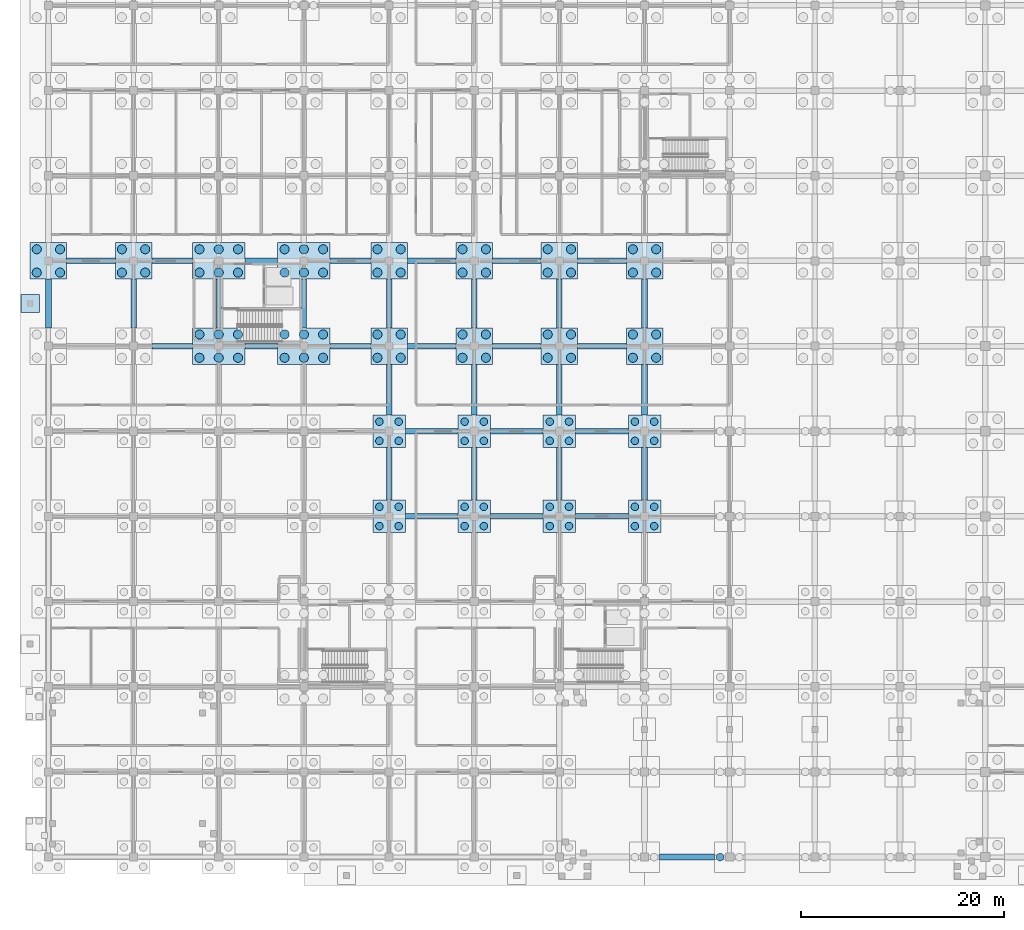
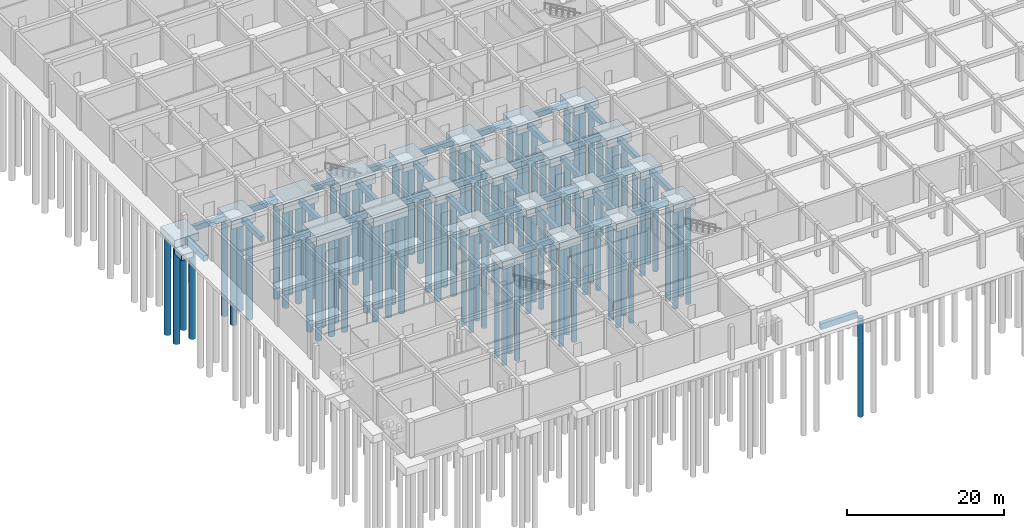
# One storey, part 3 of 65: 97 piles, 59 footings.
"""IFC4 building model written with IfcOpenShell, lengths in metres."""

from ifc_helpers import new_model, si_unit, direction, frame, origin, origin_2d, place, context, subcontext, project, spatial, rectangle, circle, extrude, material, material_profile, profile_set, type_object, element, save


model = new_model("IFC4")

# Units and contexts
model_context = context("Model", 3, precision=1e-05, world=origin(), true_north=direction((0.0, 1.0)))
body_context = subcontext(model_context, "Body", "Model", "MODEL_VIEW")
ifc_project = project(units=[si_unit("LENGTHUNIT", "METRE"), si_unit("AREAUNIT", "SQUARE_METRE"), si_unit("VOLUMEUNIT", "CUBIC_METRE"), si_unit("PLANEANGLEUNIT", "RADIAN"), si_unit("MASSUNIT", "GRAM", prefix="KILO")], contexts=[model_context])

# Site, building, storey
site_placement = place(None, origin())
site = spatial("IfcSite", under=ifc_project, at=site_placement, CompositionType="ELEMENT")
building_placement = place(site_placement, origin())
building = spatial("IfcBuilding", under=site, at=building_placement, Name="Bramfleet General Hospital", CompositionType="ELEMENT")
storey_placement = place(building_placement, frame((0.0, 0.0, -5.39990234375)))
storey = spatial("IfcBuildingStorey", under=building, at=storey_placement, Name="B1", CompositionType="ELEMENT", Elevation=-5.39990234375)

# Footings
ifc_material = material(Name="Concrete C35/45", Category="concrete")
ifc_material_profile_1 = material_profile(ifc_material, rectangle(XDim=0.550048828125, YDim=0.800048828125, at=origin_2d()), Name="RC FB 800x550")
ifc_profile_set_1 = profile_set([ifc_material_profile_1], Name="Concrete C35/45")
footing_type_1 = type_object("IfcFootingType", Name="FTG-FB-01", PredefinedType="FOOTING_BEAM", material=ifc_profile_set_1)
footing_1_placement = place(storey_placement, frame((1.800048828125, 58.800048828125, -0.900146484375), z_axis=(1.0, 0.0, 0.0), x_axis=(0.0, 1.0, 0.0)))
element("IfcFooting", 1, at=footing_1_placement, inside=storey, type_object=footing_type_1, Name="Foundation Tie Beam X 00-07", PredefinedType="FOOTING_BEAM", context=body_context, shape_type="SweptSolid", body=[
    extrude(rectangle(XDim=0.550048828125, YDim=0.800048828125, at=origin_2d()), origin(), (0.0, 0.0, 1.0), 4.800048828125),
])
footing_2_placement = place(storey_placement, frame((10.199951171875, 50.39990234375, -0.900146484375), z_axis=(1.0, 0.0, 0.0), x_axis=(0.0, 1.0, 0.0)))
element("IfcFooting", 2, at=footing_2_placement, inside=storey, type_object=footing_type_1, Name="Foundation Tie Beam X 01-06", PredefinedType="FOOTING_BEAM", context=body_context, shape_type="SweptSolid", body=[
    extrude(rectangle(XDim=0.550048828125, YDim=0.800048828125, at=origin_2d()), origin(), (0.0, 0.0, 1.0), 4.0),
])
footing_3_placement = place(storey_placement, frame((8.39990234375, 52.199951171875, -0.900146484375), z_axis=(0.0, 1.0, 0.0), x_axis=(-1.0, 0.0, 0.0)))
element("IfcFooting", 3, at=footing_3_placement, inside=storey, type_object=footing_type_1, Name="Foundation Tie Beam Y 01-06", PredefinedType="FOOTING_BEAM", context=body_context, shape_type="SweptSolid", body=[
    extrude(rectangle(XDim=0.550048828125, YDim=0.800048828125, at=origin_2d()), origin(), (0.0, 0.0, 1.0), 4.800048828125),
])
footing_4_placement = place(storey_placement, frame((10.199951171875, 58.800048828125, -0.900146484375), z_axis=(1.0, 0.0, 0.0), x_axis=(0.0, 1.0, 0.0)))
element("IfcFooting", 4, at=footing_4_placement, inside=storey, type_object=footing_type_1, Name="Foundation Tie Beam X 01-07", PredefinedType="FOOTING_BEAM", context=body_context, shape_type="SweptSolid", body=[
    extrude(rectangle(XDim=0.550048828125, YDim=0.800048828125, at=origin_2d()), origin(), (0.0, 0.0, 1.0), 4.0),
])
footing_5_placement = place(storey_placement, frame((19.39990234375, 50.39990234375, -0.900146484375), z_axis=(1.0, 0.0, 0.0), x_axis=(0.0, 1.0, 0.0)))
element("IfcFooting", 5, at=footing_5_placement, inside=storey, type_object=footing_type_1, Name="Foundation Tie Beam X 02-06", PredefinedType="FOOTING_BEAM", context=body_context, shape_type="SweptSolid", body=[
    extrude(rectangle(XDim=0.550048828125, YDim=0.800048828125, at=origin_2d()), origin(), (0.0, 0.0, 1.0), 3.2001953125),
])
footing_6_placement = place(storey_placement, frame((16.800048828125, 52.199951171875, -0.900146484375), z_axis=(0.0, 1.0, 0.0), x_axis=(-1.0, 0.0, 0.0)))
element("IfcFooting", 6, at=footing_6_placement, inside=storey, type_object=footing_type_1, Name="Foundation Tie Beam Y 02-06", PredefinedType="FOOTING_BEAM", context=body_context, shape_type="SweptSolid", body=[
    extrude(rectangle(XDim=0.550048828125, YDim=0.800048828125, at=origin_2d()), origin(), (0.0, 0.0, 1.0), 4.800048828125),
])
footing_7_placement = place(storey_placement, frame((19.39990234375, 58.800048828125, -0.900146484375), z_axis=(1.0, 0.0, 0.0), x_axis=(0.0, 1.0, 0.0)))
element("IfcFooting", 7, at=footing_7_placement, inside=storey, type_object=footing_type_1, Name="Foundation Tie Beam X 02-07", PredefinedType="FOOTING_BEAM", context=body_context, shape_type="SweptSolid", body=[
    extrude(rectangle(XDim=0.550048828125, YDim=0.800048828125, at=origin_2d()), origin(), (0.0, 0.0, 1.0), 3.2001953125),
])
footing_8_placement = place(storey_placement, frame((27.800048828125, 50.39990234375, -0.900146484375), z_axis=(1.0, 0.0, 0.0), x_axis=(0.0, 1.0, 0.0)))
element("IfcFooting", 8, at=footing_8_placement, inside=storey, type_object=footing_type_1, Name="Foundation Tie Beam X 03-06", PredefinedType="FOOTING_BEAM", context=body_context, shape_type="SweptSolid", body=[
    extrude(rectangle(XDim=0.550048828125, YDim=0.800048828125, at=origin_2d()), origin(), (0.0, 0.0, 1.0), 4.0),
])
footing_9_placement = place(storey_placement, frame((25.199951171875, 52.199951171875, -0.900146484375), z_axis=(0.0, 1.0, 0.0), x_axis=(-1.0, 0.0, 0.0)))
element("IfcFooting", 9, at=footing_9_placement, inside=storey, type_object=footing_type_1, Name="Foundation Tie Beam Y 03-06", PredefinedType="FOOTING_BEAM", context=body_context, shape_type="SweptSolid", body=[
    extrude(rectangle(XDim=0.550048828125, YDim=0.800048828125, at=origin_2d()), origin(), (0.0, 0.0, 1.0), 4.800048828125),
])
footing_10_placement = place(storey_placement, frame((27.800048828125, 58.800048828125, -0.900146484375), z_axis=(1.0, 0.0, 0.0), x_axis=(0.0, 1.0, 0.0)))
element("IfcFooting", 10, at=footing_10_placement, inside=storey, type_object=footing_type_1, Name="Foundation Tie Beam X 03-07", PredefinedType="FOOTING_BEAM", context=body_context, shape_type="SweptSolid", body=[
    extrude(rectangle(XDim=0.550048828125, YDim=0.800048828125, at=origin_2d()), origin(), (0.0, 0.0, 1.0), 4.0),
])
for number, where, z_axis, x_axis, name in (
    (11, (35.199951171875, 33.60009765625, -0.900146484375), (1.0, 0.0, 0.0), (0.0, 1.0, 0.0), "Foundation Tie Beam X 04-04"),
    (12, (33.60009765625, 35.199951171875, -0.900146484375), (0.0, 1.0, 0.0), (-1.0, 0.0, 0.0), "Foundation Tie Beam Y 04-04"),
    (13, (35.199951171875, 42.0, -0.900146484375), (1.0, 0.0, 0.0), (0.0, 1.0, 0.0), "Foundation Tie Beam X 04-05"),
):
    element("IfcFooting", number, at=place(storey_placement, frame(where, z_axis=z_axis, x_axis=x_axis)), inside=storey, type_object=footing_type_1, Name=name, PredefinedType="FOOTING_BEAM", context=body_context, shape_type="SweptSolid", body=[
        extrude(rectangle(XDim=0.550048828125, YDim=0.800048828125, at=origin_2d()), origin(), (0.0, 0.0, 1.0), 5.199951171875),
    ])
footing_11_placement = place(storey_placement, frame((33.60009765625, 43.60009765625, -0.900146484375), z_axis=(0.0, 1.0, 0.0), x_axis=(-1.0, 0.0, 0.0)))
element("IfcFooting", 14, at=footing_11_placement, inside=storey, type_object=footing_type_1, Name="Foundation Tie Beam Y 04-05", PredefinedType="FOOTING_BEAM", context=body_context, shape_type="SweptSolid", body=[
    extrude(rectangle(XDim=0.550048828125, YDim=0.800048828125, at=origin_2d()), origin(), (0.0, 0.0, 1.0), 5.0),
])
for number, where, z_axis, x_axis, name in (
    (15, (35.39990234375, 50.39990234375, -0.900146484375), (1.0, 0.0, 0.0), (0.0, 1.0, 0.0), "Foundation Tie Beam X 04-06"),
    (16, (33.60009765625, 52.199951171875, -0.900146484375), (0.0, 1.0, 0.0), (-1.0, 0.0, 0.0), "Foundation Tie Beam Y 04-06"),
    (17, (35.39990234375, 58.800048828125, -0.900146484375), (1.0, 0.0, 0.0), (0.0, 1.0, 0.0), "Foundation Tie Beam X 04-07"),
):
    element("IfcFooting", number, at=place(storey_placement, frame(where, z_axis=z_axis, x_axis=x_axis)), inside=storey, type_object=footing_type_1, Name=name, PredefinedType="FOOTING_BEAM", context=body_context, shape_type="SweptSolid", body=[
        extrude(rectangle(XDim=0.550048828125, YDim=0.800048828125, at=origin_2d()), origin(), (0.0, 0.0, 1.0), 4.800048828125),
    ])
for number, where, z_axis, x_axis, name in (
    (18, (43.60009765625, 33.60009765625, -0.900146484375), (1.0, 0.0, 0.0), (0.0, 1.0, 0.0), "Foundation Tie Beam X 05-04"),
    (19, (42.0, 35.199951171875, -0.900146484375), (0.0, 1.0, 0.0), (-1.0, 0.0, 0.0), "Foundation Tie Beam Y 05-04"),
    (20, (43.60009765625, 42.0, -0.900146484375), (1.0, 0.0, 0.0), (0.0, 1.0, 0.0), "Foundation Tie Beam X 05-05"),
):
    element("IfcFooting", number, at=place(storey_placement, frame(where, z_axis=z_axis, x_axis=x_axis)), inside=storey, type_object=footing_type_1, Name=name, PredefinedType="FOOTING_BEAM", context=body_context, shape_type="SweptSolid", body=[
        extrude(rectangle(XDim=0.550048828125, YDim=0.800048828125, at=origin_2d()), origin(), (0.0, 0.0, 1.0), 5.199951171875),
    ])
footing_12_placement = place(storey_placement, frame((42.0, 43.60009765625, -0.900146484375), z_axis=(0.0, 1.0, 0.0), x_axis=(-1.0, 0.0, 0.0)))
element("IfcFooting", 21, at=footing_12_placement, inside=storey, type_object=footing_type_1, Name="Foundation Tie Beam Y 05-05", PredefinedType="FOOTING_BEAM", context=body_context, shape_type="SweptSolid", body=[
    extrude(rectangle(XDim=0.550048828125, YDim=0.800048828125, at=origin_2d()), origin(), (0.0, 0.0, 1.0), 5.0),
])
for number, where, z_axis, x_axis, name in (
    (22, (43.800048828125, 50.39990234375, -0.900146484375), (1.0, 0.0, 0.0), (0.0, 1.0, 0.0), "Foundation Tie Beam X 05-06"),
    (23, (42.0, 52.199951171875, -0.900146484375), (0.0, 1.0, 0.0), (-1.0, 0.0, 0.0), "Foundation Tie Beam Y 05-06"),
    (24, (43.800048828125, 58.800048828125, -0.900146484375), (1.0, 0.0, 0.0), (0.0, 1.0, 0.0), "Foundation Tie Beam X 05-07"),
):
    element("IfcFooting", number, at=place(storey_placement, frame(where, z_axis=z_axis, x_axis=x_axis)), inside=storey, type_object=footing_type_1, Name=name, PredefinedType="FOOTING_BEAM", context=body_context, shape_type="SweptSolid", body=[
        extrude(rectangle(XDim=0.550048828125, YDim=0.800048828125, at=origin_2d()), origin(), (0.0, 0.0, 1.0), 4.800048828125),
    ])
for number, where, z_axis, x_axis, name in (
    (25, (52.0, 33.60009765625, -0.900146484375), (1.0, 0.0, 0.0), (0.0, 1.0, 0.0), "Foundation Tie Beam X 06-04"),
    (26, (50.39990234375, 35.199951171875, -0.900146484375), (0.0, 1.0, 0.0), (-1.0, 0.0, 0.0), "Foundation Tie Beam Y 06-04"),
    (27, (52.0, 42.0, -0.900146484375), (1.0, 0.0, 0.0), (0.0, 1.0, 0.0), "Foundation Tie Beam X 06-05"),
):
    element("IfcFooting", number, at=place(storey_placement, frame(where, z_axis=z_axis, x_axis=x_axis)), inside=storey, type_object=footing_type_1, Name=name, PredefinedType="FOOTING_BEAM", context=body_context, shape_type="SweptSolid", body=[
        extrude(rectangle(XDim=0.550048828125, YDim=0.800048828125, at=origin_2d()), origin(), (0.0, 0.0, 1.0), 5.199951171875),
    ])
footing_13_placement = place(storey_placement, frame((50.39990234375, 43.60009765625, -0.900146484375), z_axis=(0.0, 1.0, 0.0), x_axis=(-1.0, 0.0, 0.0)))
element("IfcFooting", 28, at=footing_13_placement, inside=storey, type_object=footing_type_1, Name="Foundation Tie Beam Y 06-05", PredefinedType="FOOTING_BEAM", context=body_context, shape_type="SweptSolid", body=[
    extrude(rectangle(XDim=0.550048828125, YDim=0.800048828125, at=origin_2d()), origin(), (0.0, 0.0, 1.0), 5.0),
])
for number, where, z_axis, x_axis, name in (
    (29, (52.199951171875, 50.39990234375, -0.900146484375), (1.0, 0.0, 0.0), (0.0, 1.0, 0.0), "Foundation Tie Beam X 06-06"),
    (30, (50.39990234375, 52.199951171875, -0.900146484375), (0.0, 1.0, 0.0), (-1.0, 0.0, 0.0), "Foundation Tie Beam Y 06-06"),
    (31, (52.199951171875, 58.800048828125, -0.900146484375), (1.0, 0.0, 0.0), (0.0, 1.0, 0.0), "Foundation Tie Beam X 06-07"),
):
    element("IfcFooting", number, at=place(storey_placement, frame(where, z_axis=z_axis, x_axis=x_axis)), inside=storey, type_object=footing_type_1, Name=name, PredefinedType="FOOTING_BEAM", context=body_context, shape_type="SweptSolid", body=[
        extrude(rectangle(XDim=0.550048828125, YDim=0.800048828125, at=origin_2d()), origin(), (0.0, 0.0, 1.0), 4.800048828125),
    ])
footing_14_placement = place(storey_placement, frame((58.800048828125, 35.199951171875, -0.900146484375), z_axis=(0.0, 1.0, 0.0), x_axis=(-1.0, 0.0, 0.0)))
element("IfcFooting", 32, at=footing_14_placement, inside=storey, type_object=footing_type_1, Name="Foundation Tie Beam Y 07-04", PredefinedType="FOOTING_BEAM", context=body_context, shape_type="SweptSolid", body=[
    extrude(rectangle(XDim=0.550048828125, YDim=0.800048828125, at=origin_2d()), origin(), (0.0, 0.0, 1.0), 5.199951171875),
])
footing_15_placement = place(storey_placement, frame((58.800048828125, 43.60009765625, -0.900146484375), z_axis=(0.0, 1.0, 0.0), x_axis=(-1.0, 0.0, 0.0)))
element("IfcFooting", 33, at=footing_15_placement, inside=storey, type_object=footing_type_1, Name="Foundation Tie Beam Y 07-05", PredefinedType="FOOTING_BEAM", context=body_context, shape_type="SweptSolid", body=[
    extrude(rectangle(XDim=0.550048828125, YDim=0.800048828125, at=origin_2d()), origin(), (0.0, 0.0, 1.0), 5.0),
])
footing_16_placement = place(storey_placement, frame((58.800048828125, 52.199951171875, -0.900146484375), z_axis=(0.0, 1.0, 0.0), x_axis=(-1.0, 0.0, 0.0)))
element("IfcFooting", 34, at=footing_16_placement, inside=storey, type_object=footing_type_1, Name="Foundation Tie Beam Y 07-06", PredefinedType="FOOTING_BEAM", context=body_context, shape_type="SweptSolid", body=[
    extrude(rectangle(XDim=0.550048828125, YDim=0.800048828125, at=origin_2d()), origin(), (0.0, 0.0, 1.0), 4.800048828125),
])
ifc_material_profile_2 = material_profile(ifc_material, rectangle(XDim=0.60009765625, YDim=0.89990234375, at=origin_2d()), Name="RC FB 900x600")
ifc_profile_set_2 = profile_set([ifc_material_profile_2], Name="Concrete C35/45")
footing_type_2 = type_object("IfcFootingType", Name="FTG-FB-02", PredefinedType="FOOTING_BEAM", material=ifc_profile_set_2)
footing_17_placement = place(storey_placement, frame((0.0, 52.199951171875, -0.9501953125), z_axis=(0.0, 1.0, 0.0), x_axis=(-1.0, 0.0, 0.0)))
element("IfcFooting", 35, at=footing_17_placement, inside=storey, type_object=footing_type_2, Name="Foundation Tie Beam Y 00-06", PredefinedType="FOOTING_BEAM", context=body_context, shape_type="SweptSolid", body=[
    extrude(rectangle(XDim=0.60009765625, YDim=0.89990234375, at=origin_2d()), origin(), (0.0, 0.0, 1.0), 4.800048828125),
])
footing_18_placement = place(storey_placement, frame((60.300048828125, 0.0, -0.9501953125), z_axis=(1.0, 0.0, 0.0), x_axis=(0.0, 1.0, 0.0)))
element("IfcFooting", 36, at=footing_18_placement, inside=storey, type_object=footing_type_2, Name="Foundation Tie Beam X 07-00", PredefinedType="FOOTING_BEAM", context=body_context, shape_type="SweptSolid", body=[
    extrude(rectangle(XDim=0.60009765625, YDim=0.89990234375, at=origin_2d()), origin(), (0.0, 0.0, 1.0), 5.39990234375),
])
footing_type_3 = type_object("IfcFootingType", Name="FTG-PC-02", PredefinedType="PILE_CAP", material=ifc_material)
for number, where, z_axis, x_axis, name in (
    (37, (33.60009765625, 33.60009765625, -1.7001953125), (0.0, 0.0, 1.0), (1.0, 0.0, 0.0), "Pile Cap FTG-B1-04-04"),
    (38, (33.60009765625, 42.0, -1.7001953125), (0.0, 0.0, 1.0), (1.0, 0.0, 0.0), "Pile Cap FTG-B1-04-05"),
    (39, (42.0, 33.60009765625, -1.7001953125), (0.0, 0.0, 1.0), (1.0, 0.0, 0.0), "Pile Cap FTG-B1-05-04"),
    (40, (42.0, 42.0, -1.7001953125), (0.0, 0.0, 1.0), (1.0, 0.0, 0.0), "Pile Cap FTG-B1-05-05"),
    (41, (50.39990234375, 33.60009765625, -1.7001953125), (0.0, 0.0, 1.0), (1.0, 0.0, 0.0), "Pile Cap FTG-B1-06-04"),
    (42, (50.39990234375, 42.0, -1.7001953125), (0.0, 0.0, 1.0), (1.0, 0.0, 0.0), "Pile Cap FTG-B1-06-05"),
    (43, (58.800048828125, 33.60009765625, -1.7001953125), (0.0, 0.0, 1.0), (1.0, 0.0, 0.0), "Pile Cap FTG-B1-07-04"),
    (44, (58.800048828125, 42.0, -1.7001953125), (0.0, 0.0, 1.0), (1.0, 0.0, 0.0), "Pile Cap FTG-B1-07-05"),
):
    element("IfcFooting", number, at=place(storey_placement, frame(where, z_axis=z_axis, x_axis=x_axis)), inside=storey, type_object=footing_type_3, Name=name, PredefinedType="PILE_CAP", context=body_context, shape_type="SweptSolid", body=[
        extrude(rectangle(XDim=3.199951171875, YDim=3.199951171875, at=origin_2d()), origin(), (0.0, 0.0, 1.0), 1.199951171875),
    ])
footing_type_4 = type_object("IfcFootingType", Name="FTG-PC-03", PredefinedType="PILE_CAP", material=ifc_material)
for number, where, z_axis, x_axis, name in (
    (45, (0.0, 58.800048828125, -1.7001953125), (0.0, 0.0, 1.0), (1.0, 0.0, 0.0), "Pile Cap FTG-B1-00-07"),
    (46, (8.39990234375, 58.800048828125, -1.7001953125), (0.0, 0.0, 1.0), (1.0, 0.0, 0.0), "Pile Cap FTG-B1-01-07"),
    (47, (33.60009765625, 50.39990234375, -1.7001953125), (0.0, 0.0, 1.0), (1.0, 0.0, 0.0), "Pile Cap FTG-B1-04-06"),
    (48, (33.60009765625, 58.800048828125, -1.7001953125), (0.0, 0.0, 1.0), (1.0, 0.0, 0.0), "Pile Cap FTG-B1-04-07"),
    (49, (42.0, 50.39990234375, -1.7001953125), (0.0, 0.0, 1.0), (1.0, 0.0, 0.0), "Pile Cap FTG-B1-05-06"),
    (50, (42.0, 58.800048828125, -1.7001953125), (0.0, 0.0, 1.0), (1.0, 0.0, 0.0), "Pile Cap FTG-B1-05-07"),
    (51, (50.39990234375, 50.39990234375, -1.7001953125), (0.0, 0.0, 1.0), (1.0, 0.0, 0.0), "Pile Cap FTG-B1-06-06"),
    (52, (50.39990234375, 58.800048828125, -1.7001953125), (0.0, 0.0, 1.0), (1.0, 0.0, 0.0), "Pile Cap FTG-B1-06-07"),
    (53, (58.800048828125, 50.39990234375, -1.7001953125), (0.0, 0.0, 1.0), (1.0, 0.0, 0.0), "Pile Cap FTG-B1-07-06"),
    (54, (58.800048828125, 58.800048828125, -1.7001953125), (0.0, 0.0, 1.0), (1.0, 0.0, 0.0), "Pile Cap FTG-B1-07-07"),
):
    element("IfcFooting", number, at=place(storey_placement, frame(where, z_axis=z_axis, x_axis=x_axis)), inside=storey, type_object=footing_type_4, Name=name, PredefinedType="PILE_CAP", context=body_context, shape_type="SweptSolid", body=[
        extrude(rectangle(XDim=3.60009765625, YDim=3.60009765625, at=origin_2d()), origin(), (0.0, 0.0, 1.0), 1.199951171875),
    ])
footing_type_5 = type_object("IfcFootingType", Name="FTG-PC-06", PredefinedType="PILE_CAP", material=ifc_material)
for number, where, z_axis, x_axis, name in (
    (55, (16.800048828125, 50.39990234375, -1.900146484375), (0.0, 0.0, 1.0), (1.0, 0.0, 0.0), "Pile Cap FTG-B1-02-06"),
    (56, (16.800048828125, 58.800048828125, -1.900146484375), (0.0, 0.0, 1.0), (1.0, 0.0, 0.0), "Pile Cap FTG-B1-02-07"),
    (57, (25.199951171875, 50.39990234375, -1.900146484375), (0.0, 0.0, 1.0), (1.0, 0.0, 0.0), "Pile Cap FTG-B1-03-06"),
    (58, (25.199951171875, 58.800048828125, -1.900146484375), (0.0, 0.0, 1.0), (1.0, 0.0, 0.0), "Pile Cap FTG-B1-03-07"),
):
    element("IfcFooting", number, at=place(storey_placement, frame(where, z_axis=z_axis, x_axis=x_axis)), inside=storey, type_object=footing_type_5, Name=name, PredefinedType="PILE_CAP", context=body_context, shape_type="SweptSolid", body=[
        extrude(rectangle(XDim=5.199951171875, YDim=3.60009765625, at=origin_2d()), origin(), (0.0, 0.0, 1.0), 1.39990234375),
    ])
footing_type_6 = type_object("IfcFootingType", Name="FTG-PF-01", PredefinedType="PAD_FOOTING", material=ifc_material)
footing_19_placement = place(storey_placement, frame((-1.800048828125, 54.60009765625, -1.35009765625), z_axis=(0.0, 0.0, 1.0), x_axis=(1.0, 0.0, 0.0)))
element("IfcFooting", 59, at=footing_19_placement, inside=storey, type_object=footing_type_6, Name="West Plinth Pad Footing 2", PredefinedType="PAD_FOOTING", context=body_context, shape_type="SweptSolid", body=[
    extrude(rectangle(XDim=1.800048828125, YDim=1.800048828125, at=origin_2d()), origin(), (0.0, 0.0, 1.0), 0.85009765625),
])

# Piles
ifc_material_profile_3 = material_profile(ifc_material, circle(Radius=0.375, at=origin_2d()), Name="PILE BORED D750")
ifc_profile_set_3 = profile_set([ifc_material_profile_3], Name="Concrete C35/45")
pile_type_1 = type_object("IfcPileType", Name="PILE-D750", PredefinedType="BORED", material=ifc_profile_set_3)
for number, where, z_axis, x_axis, name in (
    (60, (32.64990234375, 32.64990234375, -1.60009765625), (0.0, 0.0, -1.0), (1.0, 0.0, 0.0), "Bored Pile PILE-B1-04-04-1"),
    (61, (34.550048828125, 32.64990234375, -1.60009765625), (0.0, 0.0, -1.0), (1.0, 0.0, 0.0), "Bored Pile PILE-B1-04-04-2"),
    (62, (32.64990234375, 34.550048828125, -1.60009765625), (0.0, 0.0, -1.0), (1.0, 0.0, 0.0), "Bored Pile PILE-B1-04-04-3"),
    (63, (34.550048828125, 34.550048828125, -1.60009765625), (0.0, 0.0, -1.0), (1.0, 0.0, 0.0), "Bored Pile PILE-B1-04-04-4"),
    (64, (32.64990234375, 41.050048828125, -1.60009765625), (0.0, 0.0, -1.0), (1.0, 0.0, 0.0), "Bored Pile PILE-B1-04-05-1"),
    (65, (34.550048828125, 41.050048828125, -1.60009765625), (0.0, 0.0, -1.0), (1.0, 0.0, 0.0), "Bored Pile PILE-B1-04-05-2"),
    (66, (32.64990234375, 42.949951171875, -1.60009765625), (0.0, 0.0, -1.0), (1.0, 0.0, 0.0), "Bored Pile PILE-B1-04-05-3"),
    (67, (34.550048828125, 42.949951171875, -1.60009765625), (0.0, 0.0, -1.0), (1.0, 0.0, 0.0), "Bored Pile PILE-B1-04-05-4"),
    (68, (41.050048828125, 32.64990234375, -1.60009765625), (0.0, 0.0, -1.0), (1.0, 0.0, 0.0), "Bored Pile PILE-B1-05-04-1"),
    (69, (42.949951171875, 32.64990234375, -1.60009765625), (0.0, 0.0, -1.0), (1.0, 0.0, 0.0), "Bored Pile PILE-B1-05-04-2"),
    (70, (41.050048828125, 34.550048828125, -1.60009765625), (0.0, 0.0, -1.0), (1.0, 0.0, 0.0), "Bored Pile PILE-B1-05-04-3"),
    (71, (42.949951171875, 34.550048828125, -1.60009765625), (0.0, 0.0, -1.0), (1.0, 0.0, 0.0), "Bored Pile PILE-B1-05-04-4"),
    (72, (41.050048828125, 41.050048828125, -1.60009765625), (0.0, 0.0, -1.0), (1.0, 0.0, 0.0), "Bored Pile PILE-B1-05-05-1"),
    (73, (42.949951171875, 41.050048828125, -1.60009765625), (0.0, 0.0, -1.0), (1.0, 0.0, 0.0), "Bored Pile PILE-B1-05-05-2"),
    (74, (41.050048828125, 42.949951171875, -1.60009765625), (0.0, 0.0, -1.0), (1.0, 0.0, 0.0), "Bored Pile PILE-B1-05-05-3"),
    (75, (42.949951171875, 42.949951171875, -1.60009765625), (0.0, 0.0, -1.0), (1.0, 0.0, 0.0), "Bored Pile PILE-B1-05-05-4"),
    (76, (49.449951171875, 32.64990234375, -1.60009765625), (0.0, 0.0, -1.0), (1.0, 0.0, 0.0), "Bored Pile PILE-B1-06-04-1"),
    (77, (51.35009765625, 32.64990234375, -1.60009765625), (0.0, 0.0, -1.0), (1.0, 0.0, 0.0), "Bored Pile PILE-B1-06-04-2"),
    (78, (49.449951171875, 34.550048828125, -1.60009765625), (0.0, 0.0, -1.0), (1.0, 0.0, 0.0), "Bored Pile PILE-B1-06-04-3"),
    (79, (51.35009765625, 34.550048828125, -1.60009765625), (0.0, 0.0, -1.0), (1.0, 0.0, 0.0), "Bored Pile PILE-B1-06-04-4"),
    (80, (49.449951171875, 41.050048828125, -1.60009765625), (0.0, 0.0, -1.0), (1.0, 0.0, 0.0), "Bored Pile PILE-B1-06-05-1"),
    (81, (51.35009765625, 41.050048828125, -1.60009765625), (0.0, 0.0, -1.0), (1.0, 0.0, 0.0), "Bored Pile PILE-B1-06-05-2"),
    (82, (49.449951171875, 42.949951171875, -1.60009765625), (0.0, 0.0, -1.0), (1.0, 0.0, 0.0), "Bored Pile PILE-B1-06-05-3"),
    (83, (51.35009765625, 42.949951171875, -1.60009765625), (0.0, 0.0, -1.0), (1.0, 0.0, 0.0), "Bored Pile PILE-B1-06-05-4"),
    (84, (57.85009765625, 32.64990234375, -1.60009765625), (0.0, 0.0, -1.0), (1.0, 0.0, 0.0), "Bored Pile PILE-B1-07-04-1"),
    (85, (59.75, 32.64990234375, -1.60009765625), (0.0, 0.0, -1.0), (1.0, 0.0, 0.0), "Bored Pile PILE-B1-07-04-2"),
    (86, (57.85009765625, 34.550048828125, -1.60009765625), (0.0, 0.0, -1.0), (1.0, 0.0, 0.0), "Bored Pile PILE-B1-07-04-3"),
    (87, (59.75, 34.550048828125, -1.60009765625), (0.0, 0.0, -1.0), (1.0, 0.0, 0.0), "Bored Pile PILE-B1-07-04-4"),
    (88, (57.85009765625, 41.050048828125, -1.60009765625), (0.0, 0.0, -1.0), (1.0, 0.0, 0.0), "Bored Pile PILE-B1-07-05-1"),
    (89, (59.75, 41.050048828125, -1.60009765625), (0.0, 0.0, -1.0), (1.0, 0.0, 0.0), "Bored Pile PILE-B1-07-05-2"),
    (90, (57.85009765625, 42.949951171875, -1.60009765625), (0.0, 0.0, -1.0), (1.0, 0.0, 0.0), "Bored Pile PILE-B1-07-05-3"),
    (91, (59.75, 42.949951171875, -1.60009765625), (0.0, 0.0, -1.0), (1.0, 0.0, 0.0), "Bored Pile PILE-B1-07-05-4"),
    (92, (66.25, 0.0, -1.60009765625), (0.0, 0.0, -1.0), (1.0, 0.0, 0.0), "Bored Pile PILE-B1-08-00-1"),
):
    element("IfcPile", number, at=place(storey_placement, frame(where, z_axis=z_axis, x_axis=x_axis)), inside=storey, type_object=pile_type_1, Name=name, PredefinedType="BORED", context=body_context, shape_type="SweptSolid", body=[
        extrude(circle(Radius=0.375, at=origin_2d()), origin(), (0.0, 0.0, 1.0), 15.39990234375),
    ])
ifc_material_profile_4 = material_profile(ifc_material, circle(Radius=0.449951171875, at=origin_2d()), Name="PILE BORED D900")
ifc_profile_set_4 = profile_set([ifc_material_profile_4], Name="Concrete C35/45")
pile_type_2 = type_object("IfcPileType", Name="PILE-D900", PredefinedType="BORED", material=ifc_profile_set_4)
for number, where, z_axis, x_axis, name in (
    (93, (-1.14990234375, 57.64990234375, -1.60009765625), (0.0, 0.0, -1.0), (1.0, 0.0, 0.0), "Bored Pile PILE-B1-00-07-1"),
    (94, (1.14990234375, 57.64990234375, -1.60009765625), (0.0, 0.0, -1.0), (1.0, 0.0, 0.0), "Bored Pile PILE-B1-00-07-2"),
    (95, (-1.14990234375, 59.949951171875, -1.60009765625), (0.0, 0.0, -1.0), (1.0, 0.0, 0.0), "Bored Pile PILE-B1-00-07-3"),
    (96, (1.14990234375, 59.949951171875, -1.60009765625), (0.0, 0.0, -1.0), (1.0, 0.0, 0.0), "Bored Pile PILE-B1-00-07-4"),
    (97, (7.25, 57.64990234375, -1.60009765625), (0.0, 0.0, -1.0), (1.0, 0.0, 0.0), "Bored Pile PILE-B1-01-07-1"),
    (98, (9.550048828125, 57.64990234375, -1.60009765625), (0.0, 0.0, -1.0), (1.0, 0.0, 0.0), "Bored Pile PILE-B1-01-07-2"),
    (99, (7.25, 59.949951171875, -1.60009765625), (0.0, 0.0, -1.0), (1.0, 0.0, 0.0), "Bored Pile PILE-B1-01-07-3"),
    (100, (9.550048828125, 59.949951171875, -1.60009765625), (0.0, 0.0, -1.0), (1.0, 0.0, 0.0), "Bored Pile PILE-B1-01-07-4"),
):
    element("IfcPile", number, at=place(storey_placement, frame(where, z_axis=z_axis, x_axis=x_axis)), inside=storey, type_object=pile_type_2, Name=name, PredefinedType="BORED", context=body_context, shape_type="SweptSolid", body=[
        extrude(circle(Radius=0.449951171875, at=origin_2d()), origin(), (0.0, 0.0, 1.0), 15.39990234375),
    ])
for number, where, z_axis, x_axis, name in (
    (101, (14.89990234375, 49.25, -1.800048828125), (0.0, 0.0, -1.0), (1.0, 0.0, 0.0), "Bored Pile PILE-B1-02-06-1"),
    (102, (16.800048828125, 49.25, -1.800048828125), (0.0, 0.0, -1.0), (1.0, 0.0, 0.0), "Bored Pile PILE-B1-02-06-2"),
    (103, (18.699951171875, 49.25, -1.800048828125), (0.0, 0.0, -1.0), (1.0, 0.0, 0.0), "Bored Pile PILE-B1-02-06-3"),
    (104, (14.89990234375, 51.550048828125, -1.800048828125), (0.0, 0.0, -1.0), (1.0, 0.0, 0.0), "Bored Pile PILE-B1-02-06-4"),
    (105, (16.800048828125, 51.550048828125, -1.800048828125), (0.0, 0.0, -1.0), (1.0, 0.0, 0.0), "Bored Pile PILE-B1-02-06-5"),
    (106, (18.699951171875, 51.550048828125, -1.800048828125), (0.0, 0.0, -1.0), (1.0, 0.0, 0.0), "Bored Pile PILE-B1-02-06-6"),
    (107, (14.89990234375, 57.64990234375, -1.800048828125), (0.0, 0.0, -1.0), (1.0, 0.0, 0.0), "Bored Pile PILE-B1-02-07-1"),
    (108, (16.800048828125, 57.64990234375, -1.800048828125), (0.0, 0.0, -1.0), (1.0, 0.0, 0.0), "Bored Pile PILE-B1-02-07-2"),
    (109, (18.699951171875, 57.64990234375, -1.800048828125), (0.0, 0.0, -1.0), (1.0, 0.0, 0.0), "Bored Pile PILE-B1-02-07-3"),
    (110, (14.89990234375, 59.949951171875, -1.800048828125), (0.0, 0.0, -1.0), (1.0, 0.0, 0.0), "Bored Pile PILE-B1-02-07-4"),
    (111, (16.800048828125, 59.949951171875, -1.800048828125), (0.0, 0.0, -1.0), (1.0, 0.0, 0.0), "Bored Pile PILE-B1-02-07-5"),
    (112, (18.699951171875, 59.949951171875, -1.800048828125), (0.0, 0.0, -1.0), (1.0, 0.0, 0.0), "Bored Pile PILE-B1-02-07-6"),
    (113, (23.300048828125, 49.25, -1.800048828125), (0.0, 0.0, -1.0), (1.0, 0.0, 0.0), "Bored Pile PILE-B1-03-06-1"),
    (114, (25.199951171875, 49.25, -1.800048828125), (0.0, 0.0, -1.0), (1.0, 0.0, 0.0), "Bored Pile PILE-B1-03-06-2"),
    (115, (27.10009765625, 49.25, -1.800048828125), (0.0, 0.0, -1.0), (1.0, 0.0, 0.0), "Bored Pile PILE-B1-03-06-3"),
    (116, (23.300048828125, 51.550048828125, -1.800048828125), (0.0, 0.0, -1.0), (1.0, 0.0, 0.0), "Bored Pile PILE-B1-03-06-4"),
    (117, (25.199951171875, 51.550048828125, -1.800048828125), (0.0, 0.0, -1.0), (1.0, 0.0, 0.0), "Bored Pile PILE-B1-03-06-5"),
    (118, (27.10009765625, 51.550048828125, -1.800048828125), (0.0, 0.0, -1.0), (1.0, 0.0, 0.0), "Bored Pile PILE-B1-03-06-6"),
    (119, (23.300048828125, 57.64990234375, -1.800048828125), (0.0, 0.0, -1.0), (1.0, 0.0, 0.0), "Bored Pile PILE-B1-03-07-1"),
    (120, (25.199951171875, 57.64990234375, -1.800048828125), (0.0, 0.0, -1.0), (1.0, 0.0, 0.0), "Bored Pile PILE-B1-03-07-2"),
    (121, (27.10009765625, 57.64990234375, -1.800048828125), (0.0, 0.0, -1.0), (1.0, 0.0, 0.0), "Bored Pile PILE-B1-03-07-3"),
    (122, (23.300048828125, 59.949951171875, -1.800048828125), (0.0, 0.0, -1.0), (1.0, 0.0, 0.0), "Bored Pile PILE-B1-03-07-4"),
    (123, (25.199951171875, 59.949951171875, -1.800048828125), (0.0, 0.0, -1.0), (1.0, 0.0, 0.0), "Bored Pile PILE-B1-03-07-5"),
    (124, (27.10009765625, 59.949951171875, -1.800048828125), (0.0, 0.0, -1.0), (1.0, 0.0, 0.0), "Bored Pile PILE-B1-03-07-6"),
):
    element("IfcPile", number, at=place(storey_placement, frame(where, z_axis=z_axis, x_axis=x_axis)), inside=storey, type_object=pile_type_2, Name=name, PredefinedType="BORED", context=body_context, shape_type="SweptSolid", body=[
        extrude(circle(Radius=0.449951171875, at=origin_2d()), origin(), (0.0, 0.0, 1.0), 15.199951171875),
    ])
for number, where, z_axis, x_axis, name in (
    (125, (32.449951171875, 49.25, -1.60009765625), (0.0, 0.0, -1.0), (1.0, 0.0, 0.0), "Bored Pile PILE-B1-04-06-1"),
    (126, (34.75, 49.25, -1.60009765625), (0.0, 0.0, -1.0), (1.0, 0.0, 0.0), "Bored Pile PILE-B1-04-06-2"),
    (127, (32.449951171875, 51.550048828125, -1.60009765625), (0.0, 0.0, -1.0), (1.0, 0.0, 0.0), "Bored Pile PILE-B1-04-06-3"),
    (128, (34.75, 51.550048828125, -1.60009765625), (0.0, 0.0, -1.0), (1.0, 0.0, 0.0), "Bored Pile PILE-B1-04-06-4"),
    (129, (32.449951171875, 57.64990234375, -1.60009765625), (0.0, 0.0, -1.0), (1.0, 0.0, 0.0), "Bored Pile PILE-B1-04-07-1"),
    (130, (34.75, 57.64990234375, -1.60009765625), (0.0, 0.0, -1.0), (1.0, 0.0, 0.0), "Bored Pile PILE-B1-04-07-2"),
    (131, (32.449951171875, 59.949951171875, -1.60009765625), (0.0, 0.0, -1.0), (1.0, 0.0, 0.0), "Bored Pile PILE-B1-04-07-3"),
    (132, (34.75, 59.949951171875, -1.60009765625), (0.0, 0.0, -1.0), (1.0, 0.0, 0.0), "Bored Pile PILE-B1-04-07-4"),
    (133, (40.85009765625, 49.25, -1.60009765625), (0.0, 0.0, -1.0), (1.0, 0.0, 0.0), "Bored Pile PILE-B1-05-06-1"),
    (134, (43.14990234375, 49.25, -1.60009765625), (0.0, 0.0, -1.0), (1.0, 0.0, 0.0), "Bored Pile PILE-B1-05-06-2"),
    (135, (40.85009765625, 51.550048828125, -1.60009765625), (0.0, 0.0, -1.0), (1.0, 0.0, 0.0), "Bored Pile PILE-B1-05-06-3"),
    (136, (43.14990234375, 51.550048828125, -1.60009765625), (0.0, 0.0, -1.0), (1.0, 0.0, 0.0), "Bored Pile PILE-B1-05-06-4"),
    (137, (40.85009765625, 57.64990234375, -1.60009765625), (0.0, 0.0, -1.0), (1.0, 0.0, 0.0), "Bored Pile PILE-B1-05-07-1"),
    (138, (43.14990234375, 57.64990234375, -1.60009765625), (0.0, 0.0, -1.0), (1.0, 0.0, 0.0), "Bored Pile PILE-B1-05-07-2"),
    (139, (40.85009765625, 59.949951171875, -1.60009765625), (0.0, 0.0, -1.0), (1.0, 0.0, 0.0), "Bored Pile PILE-B1-05-07-3"),
    (140, (43.14990234375, 59.949951171875, -1.60009765625), (0.0, 0.0, -1.0), (1.0, 0.0, 0.0), "Bored Pile PILE-B1-05-07-4"),
    (141, (49.25, 49.25, -1.60009765625), (0.0, 0.0, -1.0), (1.0, 0.0, 0.0), "Bored Pile PILE-B1-06-06-1"),
    (142, (51.550048828125, 49.25, -1.60009765625), (0.0, 0.0, -1.0), (1.0, 0.0, 0.0), "Bored Pile PILE-B1-06-06-2"),
    (143, (49.25, 51.550048828125, -1.60009765625), (0.0, 0.0, -1.0), (1.0, 0.0, 0.0), "Bored Pile PILE-B1-06-06-3"),
    (144, (51.550048828125, 51.550048828125, -1.60009765625), (0.0, 0.0, -1.0), (1.0, 0.0, 0.0), "Bored Pile PILE-B1-06-06-4"),
    (145, (49.25, 57.64990234375, -1.60009765625), (0.0, 0.0, -1.0), (1.0, 0.0, 0.0), "Bored Pile PILE-B1-06-07-1"),
    (146, (51.550048828125, 57.64990234375, -1.60009765625), (0.0, 0.0, -1.0), (1.0, 0.0, 0.0), "Bored Pile PILE-B1-06-07-2"),
    (147, (49.25, 59.949951171875, -1.60009765625), (0.0, 0.0, -1.0), (1.0, 0.0, 0.0), "Bored Pile PILE-B1-06-07-3"),
    (148, (51.550048828125, 59.949951171875, -1.60009765625), (0.0, 0.0, -1.0), (1.0, 0.0, 0.0), "Bored Pile PILE-B1-06-07-4"),
    (149, (57.64990234375, 49.25, -1.60009765625), (0.0, 0.0, -1.0), (1.0, 0.0, 0.0), "Bored Pile PILE-B1-07-06-1"),
    (150, (59.949951171875, 49.25, -1.60009765625), (0.0, 0.0, -1.0), (1.0, 0.0, 0.0), "Bored Pile PILE-B1-07-06-2"),
    (151, (57.64990234375, 51.550048828125, -1.60009765625), (0.0, 0.0, -1.0), (1.0, 0.0, 0.0), "Bored Pile PILE-B1-07-06-3"),
    (152, (59.949951171875, 51.550048828125, -1.60009765625), (0.0, 0.0, -1.0), (1.0, 0.0, 0.0), "Bored Pile PILE-B1-07-06-4"),
    (153, (57.64990234375, 57.64990234375, -1.60009765625), (0.0, 0.0, -1.0), (1.0, 0.0, 0.0), "Bored Pile PILE-B1-07-07-1"),
    (154, (59.949951171875, 57.64990234375, -1.60009765625), (0.0, 0.0, -1.0), (1.0, 0.0, 0.0), "Bored Pile PILE-B1-07-07-2"),
    (155, (57.64990234375, 59.949951171875, -1.60009765625), (0.0, 0.0, -1.0), (1.0, 0.0, 0.0), "Bored Pile PILE-B1-07-07-3"),
    (156, (59.949951171875, 59.949951171875, -1.60009765625), (0.0, 0.0, -1.0), (1.0, 0.0, 0.0), "Bored Pile PILE-B1-07-07-4"),
):
    element("IfcPile", number, at=place(storey_placement, frame(where, z_axis=z_axis, x_axis=x_axis)), inside=storey, type_object=pile_type_2, Name=name, PredefinedType="BORED", context=body_context, shape_type="SweptSolid", body=[
        extrude(circle(Radius=0.449951171875, at=origin_2d()), origin(), (0.0, 0.0, 1.0), 15.39990234375),
    ])

save(model, "model.ifc")
